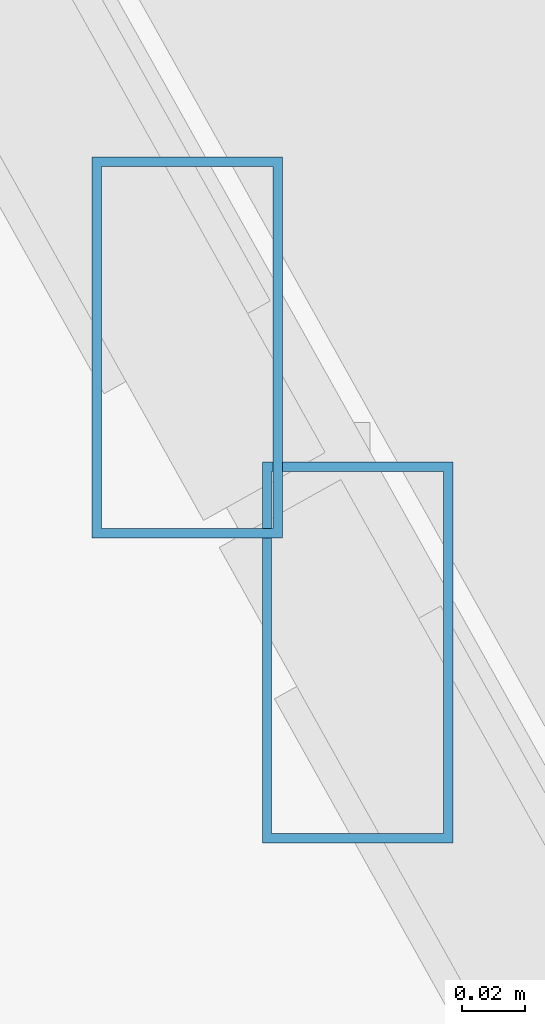
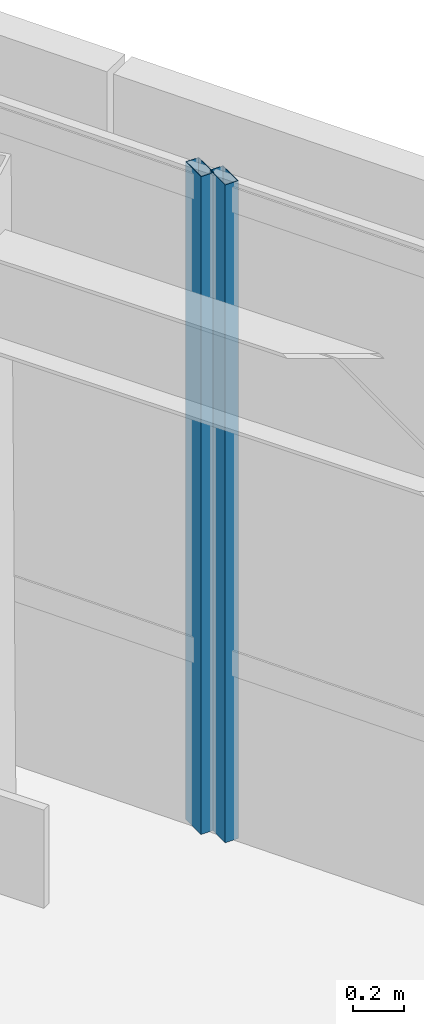
# One storey, part 30 of 44: 2 members, 2 elements without a shape of their own.
"""IFC4 building model written with IfcOpenShell, lengths in metres."""

from ifc_helpers import new_model, si_unit, direction, frame, origin, origin_2d, place, context, subcontext, project, spatial, hollow_rectangle, extrude, source, transform, mapped, material, material_profile, profile_set, type_object, type_shapes, element, aggregate, save


model = new_model("IFC4")

# Units and contexts
model_context = context("Model", 3, precision=1e-05, world=origin(), true_north=direction((0.0, 1.0)))
body_context = subcontext(model_context, "Body", "Model", "MODEL_VIEW")
ifc_project = project(units=[si_unit("LENGTHUNIT", "METRE"), si_unit("AREAUNIT", "SQUARE_METRE"), si_unit("VOLUMEUNIT", "CUBIC_METRE"), si_unit("PLANEANGLEUNIT", "RADIAN"), si_unit("MASSUNIT", "GRAM", prefix="KILO")], contexts=[model_context])

# Site, building, storey
site_placement = place(None, origin())
site = spatial("IfcSite", under=ifc_project, at=site_placement, CompositionType="ELEMENT")
building_placement = place(site_placement, origin())
building = spatial("IfcBuilding", under=site, at=building_placement, Name="Caelisora Broadcast Tower", CompositionType="ELEMENT")
storey_placement = place(building_placement, frame((0.0, 0.0, 296.60009765625)))
storey = spatial("IfcBuildingStorey", under=building, at=storey_placement, Name="L78", CompositionType="ELEMENT", Elevation=296.60009765625)

# Curtain wall, member
ifc_material_1 = material(Name="Unitised Aluminium Insulated Shadow-Box Spandrel Curtain Wall", Category="aluminium")
curtain_wall_type = type_object("IfcCurtainWallType", Name="CW-SP3", PredefinedType="NOTDEFINED", material=ifc_material_1)
curtain_wall_1_placement = place(storey_placement, origin())
curtain_wall_1 = element("IfcCurtainWall", 1, at=curtain_wall_1_placement, inside=storey, type_object=curtain_wall_type, Name="L78 curtain wall CW-SP3", PredefinedType="NOTDEFINED")
ifc_material_2 = material(Name="Aluminium 6063-T6 Anodised Terracotta Bronze", Category="aluminium")
ifc_material_profile = material_profile(ifc_material_2, hollow_rectangle(XDim=0.06005859375, YDim=0.1201171875, WallThickness=0.0029296875, at=origin_2d()), Name="Aluminium 6063-T6 Anodised Terracotta Bronze")
ifc_profile_set = profile_set([ifc_material_profile], Name="Aluminium 6063-T6 Anodised Terracotta Bronze")
member_type = type_object("IfcMemberType", Name="CWM-04", PredefinedType="MULLION", material=ifc_profile_set)
shared_shape = source(origin(), body_context, "Body", "SweptSolid", [
    extrude(hollow_rectangle(XDim=0.06005859375, YDim=0.1201171875, WallThickness=0.0029296875, at=origin_2d()), origin(), (0.0, 0.0, 1.0), 3.14990234375),
])
type_shapes(member_type, [shared_shape])
member_1_placement = place(storey_placement, frame((54.06689453125, 25.47607421875, 0.0), z_axis=(0.0, 0.0, 1.0), x_axis=(1.0, 0.0, 0.0)))
member_1 = element("IfcMember", 2, at=member_1_placement, type_object=member_type, Name="L78-CW-B02 mullion #3", PredefinedType="MULLION", context=body_context, shape_type="MappedRepresentation", body=[
    mapped(shared_shape, transform((0.0, 0.0, 0.0), scale=1.0)),
])
aggregate(curtain_wall_1, [member_1])

curtain_wall_2_placement = place(storey_placement, origin())
curtain_wall_2 = element("IfcCurtainWall", 3, at=curtain_wall_2_placement, inside=storey, type_object=curtain_wall_type, Name="L78 curtain wall CW-SP3", PredefinedType="NOTDEFINED")
member_2_placement = place(storey_placement, frame((54.12060546875, 25.3798828125, 0.0), z_axis=(0.0, 0.0, 1.0), x_axis=(1.0, 0.0, 0.0)))
member_2 = element("IfcMember", 4, at=member_2_placement, type_object=member_type, Name="L78-CW-B03 mullion #0", PredefinedType="MULLION", context=body_context, shape_type="MappedRepresentation", body=[
    mapped(shared_shape, transform((0.0, 0.0, 0.0), scale=1.0)),
])
aggregate(curtain_wall_2, [member_2])

save(model, "model.ifc")
